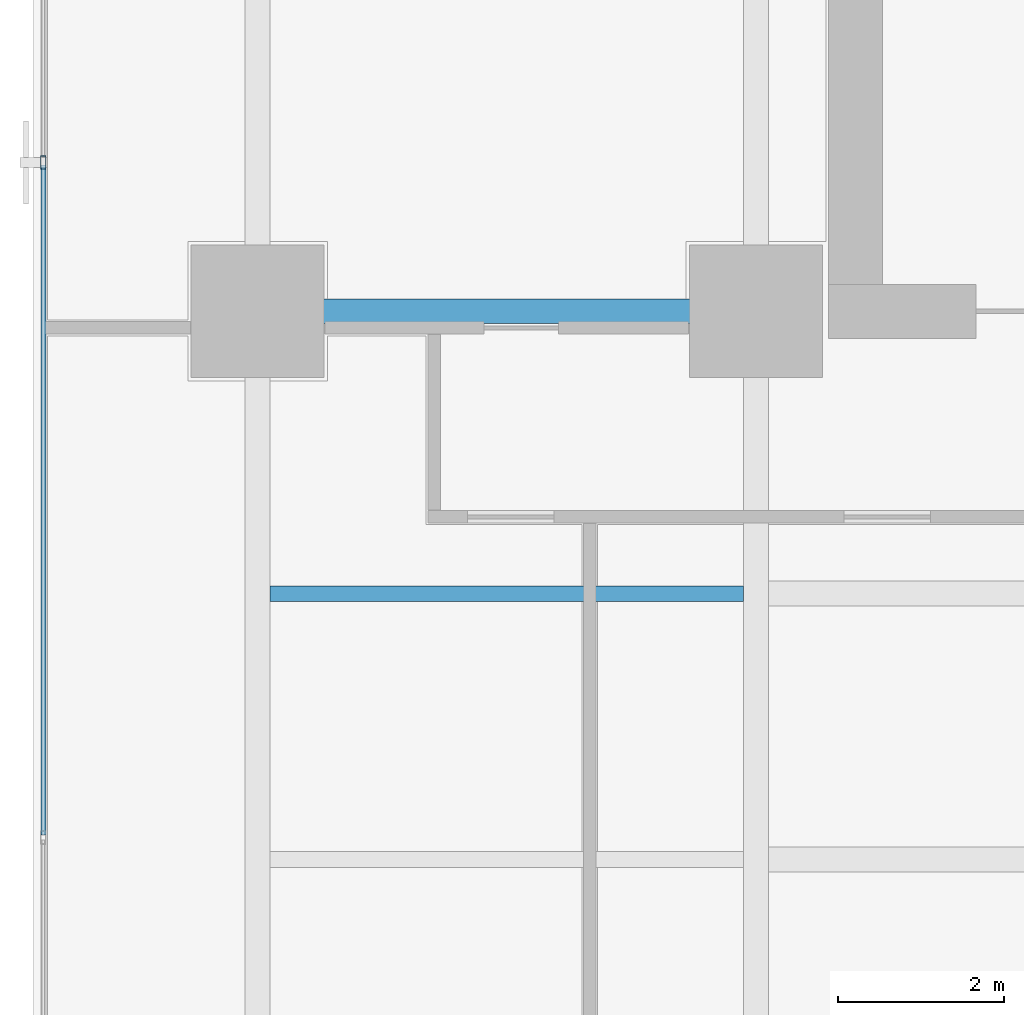
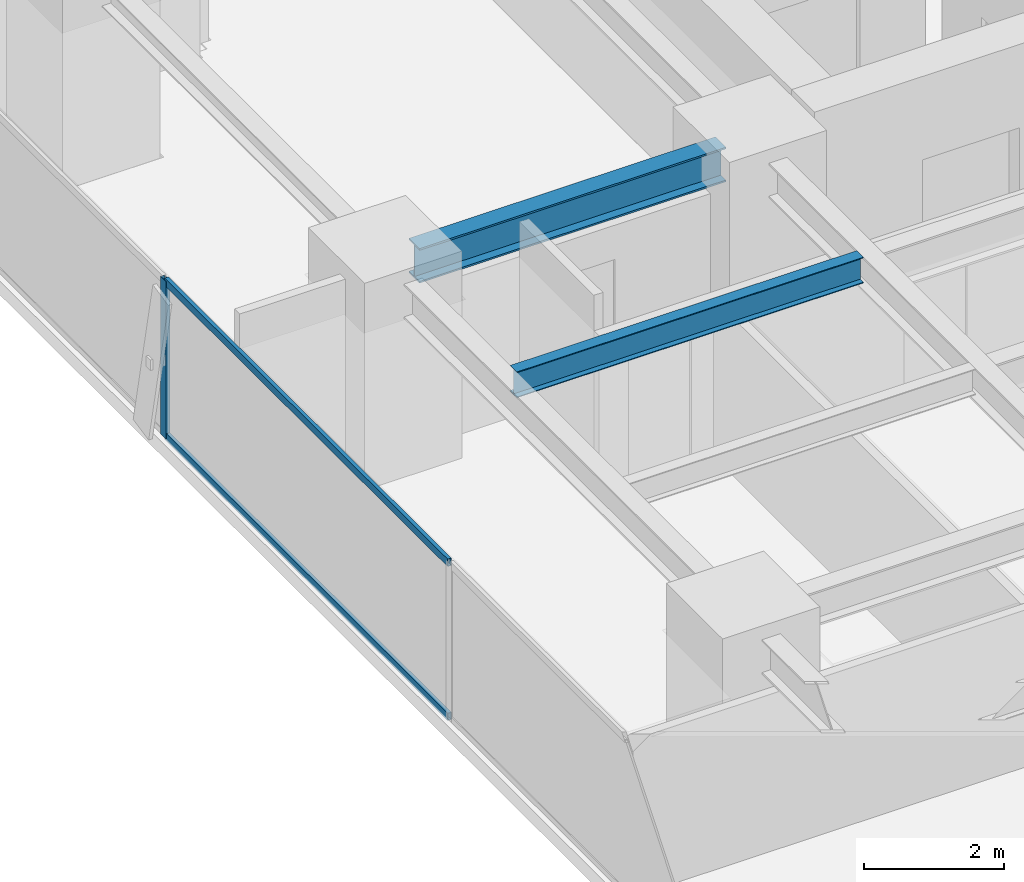
# One storey, part 17 of 36: 3 members, 2 beams, 1 element without a shape of its own.
"""IFC4 building model written with IfcOpenShell, lengths in metres."""

from ifc_helpers import new_model, si_unit, direction, frame, origin, origin_2d, place, context, subcontext, project, spatial, hollow_rectangle, i_section, extrude, source, transform, mapped, material, layer, layer_set, material_profile, profile_set, type_object, element, aggregate, save


model = new_model("IFC4")

# Units and contexts
model_context = context("Model", 3, precision=1e-05, world=origin(), true_north=direction((0.0, 1.0)))
body_context = subcontext(model_context, "Body", "Model", "MODEL_VIEW")
ifc_project = project(units=[si_unit("LENGTHUNIT", "METRE"), si_unit("AREAUNIT", "SQUARE_METRE"), si_unit("VOLUMEUNIT", "CUBIC_METRE"), si_unit("PLANEANGLEUNIT", "RADIAN"), si_unit("MASSUNIT", "GRAM", prefix="KILO")], contexts=[model_context])

# Site, building, storey
site_placement = place(None, origin())
site = spatial("IfcSite", under=ifc_project, at=site_placement, CompositionType="ELEMENT")
building_placement = place(site_placement, origin())
building = spatial("IfcBuilding", under=site, at=building_placement, Name="Sumidabori Civic Tower", CompositionType="ELEMENT")
storey_placement = place(building_placement, frame((0.0, 0.0, 92.0)))
storey = spatial("IfcBuildingStorey", under=building, at=storey_placement, Name="L23", CompositionType="ELEMENT", Elevation=92.0)

# Beams
ifc_material_1 = material(Name="Steel SN490", Category="steel")
ifc_material_profile_1 = material_profile(ifc_material_1, i_section(OverallWidth=0.300048828125, OverallDepth=0.60009765625, WebThickness=0.015380859375, FlangeThickness=0.030029296875, at=origin_2d()), Name="HE 600 B")
ifc_profile_set_1 = profile_set([ifc_material_profile_1], Name="Steel SN490")
beam_type_1 = type_object("IfcBeamType", Name="BM-GIRD-600", PredefinedType="BEAM", material=ifc_profile_set_1)
shared_shape_1 = source(origin(), body_context, "Body", "SweptSolid", [
    extrude(i_section(OverallWidth=0.300048828125, OverallDepth=0.60009765625, WebThickness=0.015380859375, FlangeThickness=0.030029296875, at=origin_2d()), origin(), (0.0, 0.0, 1.0), 5.0400390625),
])
beam_1_placement = place(storey_placement, frame((-22.320068359375, 10.199951171875, 3.06005859375), z_axis=(1.0, 0.0, 0.0), x_axis=(0.0, 1.0, 0.0)))
element("IfcBeam", 1, at=beam_1_placement, inside=storey, type_object=beam_type_1, Name="Primary Girder L23 GX-19", PredefinedType="BEAM", context=body_context, shape_type="MappedRepresentation", body=[
    mapped(shared_shape_1, transform((0.0, 0.0, 0.0), x_axis=(1.0, 0.0, 0.0), y_axis=(0.0, 1.0, 0.0), z_axis=(0.0, 0.0, 1.0), scale=1.0)),
])
ifc_material_profile_2 = material_profile(ifc_material_1, i_section(OverallWidth=0.18994140625, OverallDepth=0.449951171875, WebThickness=0.009521484375, FlangeThickness=0.0146484375, at=origin_2d()), Name="IPE 450")
ifc_profile_set_2 = profile_set([ifc_material_profile_2], Name="Steel SN490")
beam_type_2 = type_object("IfcBeamType", Name="BM-JST-450", PredefinedType="JOIST", material=ifc_profile_set_2)
shared_shape_2 = source(origin(), body_context, "Body", "SweptSolid", [
    extrude(i_section(OverallWidth=0.18994140625, OverallDepth=0.449951171875, WebThickness=0.009521484375, FlangeThickness=0.0146484375, at=origin_2d()), origin(), (0.0, 0.0, 1.0), 5.699951171875),
])
beam_2_placement = place(storey_placement, frame((-22.64990234375, 6.800048828125, 3.135009765625), z_axis=(1.0, 0.0, 0.0), x_axis=(0.0, 1.0, 0.0)))
element("IfcBeam", 2, at=beam_2_placement, inside=storey, type_object=beam_type_2, Name="Outer Bay Floor Joist L23 JSTO-49", PredefinedType="JOIST", context=body_context, shape_type="MappedRepresentation", body=[
    mapped(shared_shape_2, transform((0.0, 0.0, 0.0), x_axis=(1.0, 0.0, 0.0), y_axis=(0.0, 1.0, 0.0), z_axis=(0.0, 0.0, 1.0), scale=1.0)),
])

# Curtain wall, members
ifc_material_2 = material(Name="Anodised Bronze Aluminium AW-6063-T6", Category="aluminium")
ifc_layer = layer(ifc_material_2, 0.179931640625, Name="Anodised Bronze Aluminium AW-6063-T6")
ifc_layer_set = layer_set([ifc_layer], Name="Anodised Bronze Aluminium AW-6063-T6")
curtain_wall_type = type_object("IfcCurtainWallType", Name="CW-SYS-3", PredefinedType="NOTDEFINED", material=ifc_layer_set)
curtain_wall_placement = place(storey_placement, origin())
curtain_wall = element("IfcCurtainWall", 3, at=curtain_wall_placement, inside=storey, type_object=curtain_wall_type, Name="Curtain Wall CW:L23:R10", PredefinedType="NOTDEFINED")
ifc_material_profile_3 = material_profile(ifc_material_2, hollow_rectangle(XDim=0.06494140625, YDim=0.159912109375, WallThickness=0.0048828125, at=origin_2d()), Name="ALU MULLION 160x65")
ifc_profile_set_3 = profile_set([ifc_material_profile_3], Name="Anodised Bronze Aluminium AW-6063-T6")
member_type_1 = type_object("IfcMemberType", Name="CW-MUL-160", PredefinedType="MULLION", material=ifc_profile_set_3)
shared_shape_3 = source(origin(), body_context, "Body", "SweptSolid", [
    extrude(hollow_rectangle(XDim=0.06494140625, YDim=0.159912109375, WallThickness=0.0048828125, at=origin_2d()), origin(), (0.0, 0.0, 1.0), 2.739990234375),
])
member_1_placement = place(storey_placement, frame((-25.3798828125, 11.991943359375, 0.0), z_axis=(0.0, 0.0, 1.0), x_axis=(1.0, 0.0, 0.0)))
member_1 = element("IfcMember", 4, at=member_1_placement, type_object=member_type_1, Name="CW-3 mullion 2", PredefinedType="MULLION", context=body_context, shape_type="MappedRepresentation", body=[
    mapped(shared_shape_3, transform((0.0, 0.0, 0.0), x_axis=(1.0, 0.0, 0.0), y_axis=(0.0, 1.0, 0.0), z_axis=(0.0, 0.0, 1.0), scale=1.0)),
])
ifc_material_profile_4 = material_profile(ifc_material_2, hollow_rectangle(XDim=0.06005859375, YDim=0.1298828125, WallThickness=0.0048828125, at=origin_2d()), Name="ALU TRANSOM 130x60")
ifc_profile_set_4 = profile_set([ifc_material_profile_4], Name="Anodised Bronze Aluminium AW-6063-T6")
member_type_2 = type_object("IfcMemberType", Name="CW-TRN-130", PredefinedType="USERDEFINED", material=ifc_profile_set_4)
shared_shape_4 = source(origin(), body_context, "Body", "SweptSolid", [
    extrude(hollow_rectangle(XDim=0.06005859375, YDim=0.1298828125, WallThickness=0.0048828125, at=origin_2d()), origin(), (0.0, 0.0, 1.0), 8.06298828125),
])
member_2_placement = place(storey_placement, frame((-25.3798828125, 11.95947265625, 0.030029296875), z_axis=(0.0, -1.0, 0.0), x_axis=(1.0, 0.0, 0.0)))
member_2 = element("IfcMember", 5, at=member_2_placement, type_object=member_type_2, Name="CW-3 transom 2.1", ObjectType="TRANSOM", PredefinedType="USERDEFINED", context=body_context, shape_type="MappedRepresentation", body=[
    mapped(shared_shape_4, transform((0.0, 0.0, 0.0), x_axis=(1.0, 0.0, 0.0), y_axis=(0.0, 1.0, 0.0), z_axis=(0.0, 0.0, 1.0), scale=1.0)),
])
member_3_placement = place(storey_placement, frame((-25.3798828125, 11.95947265625, 2.7099609375), z_axis=(0.0, -1.0, 0.0), x_axis=(1.0, 0.0, 0.0)))
member_3 = element("IfcMember", 6, at=member_3_placement, type_object=member_type_2, Name="CW-3 transom 2.2", ObjectType="TRANSOM", PredefinedType="USERDEFINED", context=body_context, shape_type="MappedRepresentation", body=[
    mapped(shared_shape_4, transform((0.0, 0.0, 0.0), x_axis=(1.0, 0.0, 0.0), y_axis=(0.0, 1.0, 0.0), z_axis=(0.0, 0.0, 1.0), scale=1.0)),
])
aggregate(curtain_wall, [member_1, member_2, member_3])

save(model, "model.ifc")
